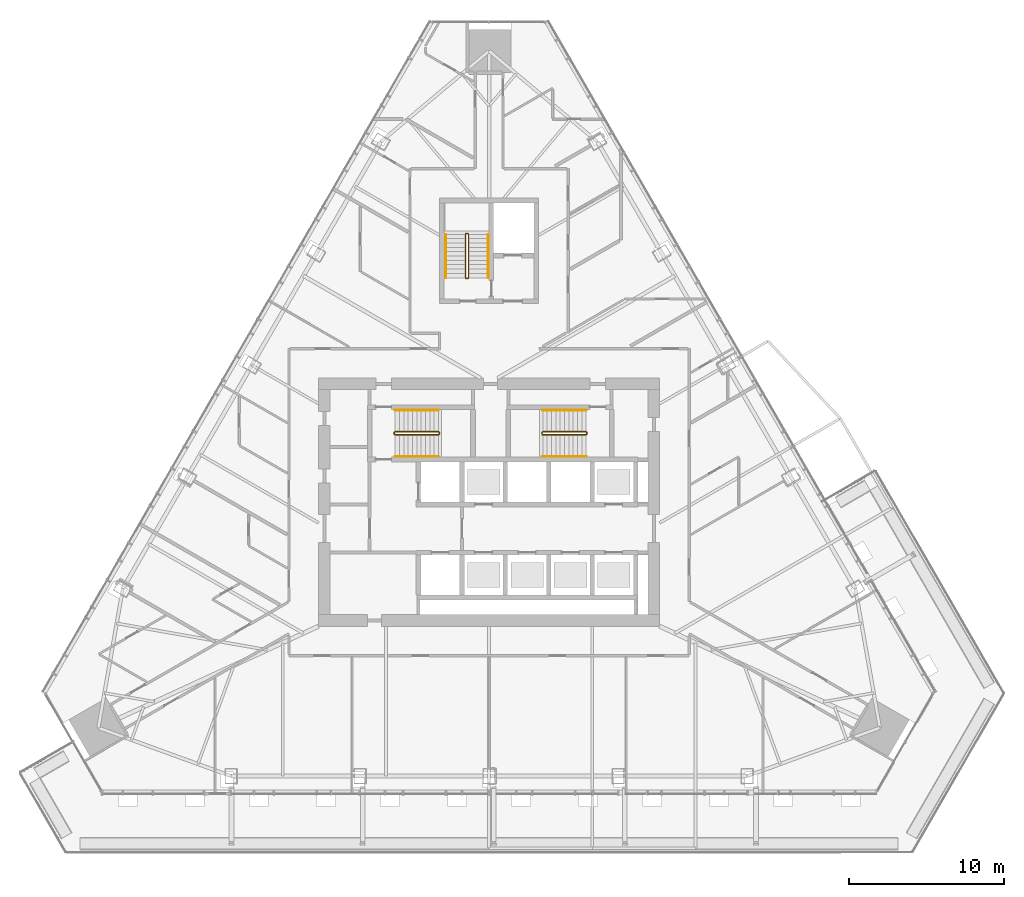
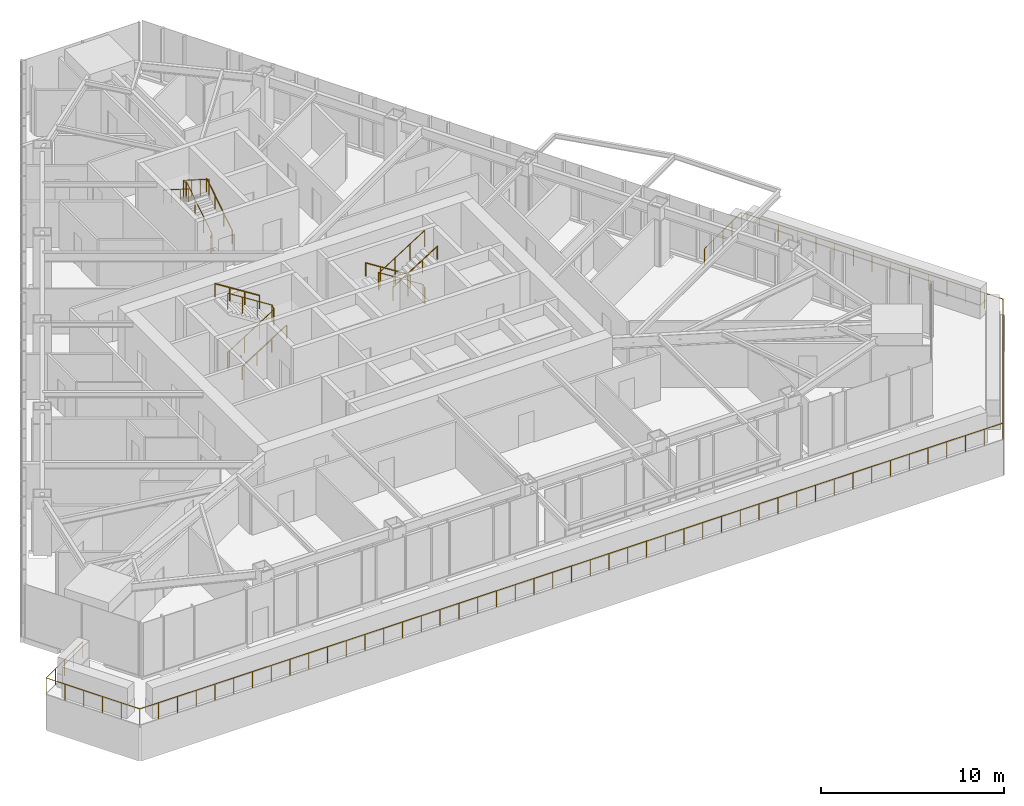
# One storey, part 19 of 21: 10 railings.
"""IFC4 building model written with IfcOpenShell, lengths in metres."""

from ifc_helpers import new_model, si_unit, direction, frame, origin, origin_2d, place, context, subcontext, project, spatial, circle, extrude, material, type_object, element, save


model = new_model("IFC4")

# Units and contexts
model_context = context("Model", 3, precision=1e-05, world=origin(), true_north=direction((0.0, 1.0)))
body_context = subcontext(model_context, "Body", "Model", "MODEL_VIEW")
ifc_project = project(units=[si_unit("LENGTHUNIT", "METRE"), si_unit("AREAUNIT", "SQUARE_METRE"), si_unit("VOLUMEUNIT", "CUBIC_METRE"), si_unit("PLANEANGLEUNIT", "RADIAN"), si_unit("MASSUNIT", "GRAM", prefix="KILO")], contexts=[model_context])

# Site, building, storey
site_placement = place(None, origin())
site = spatial("IfcSite", under=ifc_project, at=site_placement, CompositionType="ELEMENT")
building_placement = place(site_placement, origin())
building = spatial("IfcBuilding", under=site, at=building_placement, Name="Firuza Gate Tower and Library", CompositionType="ELEMENT")
storey_placement = place(building_placement, frame((0.0, 0.0, 222.10009765625)))
storey = spatial("IfcBuildingStorey", under=building, at=storey_placement, Name="L52", CompositionType="ELEMENT", Elevation=222.10009765625)

# Railings
ifc_material_1 = material(Name="Steel S355", Category="steel")
railing_type_1 = type_object("IfcRailingType", Name="Stair guard 1100", PredefinedType="GUARDRAIL", material=ifc_material_1)
railing_1_placement = place(storey_placement, frame((68.889892578125, 79.389892578125, 0.0)))
element("IfcRailing", 1, at=railing_1_placement, inside=storey, type_object=railing_type_1, Name="L52 ST1 stair guard 1", PredefinedType="GUARDRAIL", context=body_context, shape_type="SweptSolid", body=[
    extrude(circle(Radius=0.02392578125, at=origin_2d()), frame((0.0, 0.0, 1.076171875), z_axis=(0.0, 1.0, 0.0), x_axis=(-1.0, 0.0, 0.0)), (0.0, 0.0, 1.0), 0.10009765625),
    extrude(circle(Radius=0.02392578125, at=origin_2d()), frame((0.0, 0.10009765625, 1.076171875), z_axis=(0.210758951027, -0.631248760638, 0.74639511437), x_axis=(0.948528701346, 0.316691178788, 0.0)), (0.0, 0.0, 1.0), 0.237548828125),
    extrude(circle(Radius=0.02392578125, at=origin_2d()), frame((0.050048828125, -0.0498046875, 1.25341796875), z_axis=(0.844908973607, 0.0, 0.534910110503), x_axis=(0.0, 1.0, 0.0)), (0.0, 0.0, 1.0), 3.31396484375),
    extrude(circle(Radius=0.02392578125, at=origin_2d()), frame((2.85009765625, -0.0498046875, 3.02587890625), z_axis=(0.708833529934, 0.705375805398, 0.0), x_axis=(-0.705375805398, 0.708833529934, 0.0)), (0.0, 0.0, 1.0), 0.070556640625),
    extrude(circle(Radius=0.02392578125, at=origin_2d()), frame((2.900146484375, 0.0, 3.02587890625), z_axis=(0.0, 1.0, 0.0), x_axis=(-1.0, 0.0, 0.0)), (0.0, 0.0, 1.0), 0.10009765625),
    extrude(circle(Radius=0.02392578125, at=origin_2d()), frame((2.900146484375, 0.10009765625, 3.02587890625), z_axis=(-0.262233686654, 0.262233686654, 0.928691007369), x_axis=(-0.707106781187, -0.707106781187, 0.0)), (0.0, 0.0, 1.0), 0.19091796875),
    extrude(circle(Radius=0.02392578125, at=origin_2d()), frame((2.85009765625, 0.150146484375, 3.203125), z_axis=(-0.844908973607, 0.0, 0.534910110503), x_axis=(0.0, -1.0, 0.0)), (0.0, 0.0, 1.0), 3.31396484375),
    extrude(circle(Radius=0.02099609375, at=origin_2d()), origin(), (0.0, 0.0, 1.0), 1.052001953125),
    extrude(circle(Radius=0.02099609375, at=origin_2d()), frame((0.0, 0.10009765625, 0.0)), (0.0, 0.0, 1.0), 1.052001953125),
    extrude(circle(Radius=0.02099609375, at=origin_2d()), frame((0.050048828125, -0.0498046875, 0.17724609375)), (0.0, 0.0, 1.0), 1.052001953125),
    extrude(circle(Radius=0.02099609375, at=origin_2d()), frame((0.9833984375, -0.0498046875, 0.76806640625)), (0.0, 0.0, 1.0), 1.052001953125),
    extrude(circle(Radius=0.02099609375, at=origin_2d()), frame((1.916748046875, -0.0498046875, 1.359130859375)), (0.0, 0.0, 1.0), 1.052001953125),
    extrude(circle(Radius=0.02099609375, at=origin_2d()), frame((2.85009765625, -0.0498046875, 1.949951171875)), (0.0, 0.0, 1.0), 1.052001953125),
    extrude(circle(Radius=0.02099609375, at=origin_2d()), frame((2.900146484375, 0.0, 1.949951171875)), (0.0, 0.0, 1.0), 1.052001953125),
    extrude(circle(Radius=0.02099609375, at=origin_2d()), frame((2.900146484375, 0.10009765625, 1.949951171875)), (0.0, 0.0, 1.0), 1.052001953125),
    extrude(circle(Radius=0.02099609375, at=origin_2d()), frame((2.85009765625, 0.150146484375, 2.127197265625)), (0.0, 0.0, 1.0), 1.052001953125),
    extrude(circle(Radius=0.02099609375, at=origin_2d()), frame((1.916748046875, 0.150146484375, 2.718017578125)), (0.0, 0.0, 1.0), 1.052001953125),
    extrude(circle(Radius=0.02099609375, at=origin_2d()), frame((0.9833984375, 0.150146484375, 3.30908203125)), (0.0, 0.0, 1.0), 1.052001953125),
    extrude(circle(Radius=0.02099609375, at=origin_2d()), frame((0.050048828125, 0.150146484375, 3.89990234375)), (0.0, 0.0, 1.0), 1.052001953125),
])
railing_2_placement = place(storey_placement, frame((81.31005859375, 79.489990234375, 0.0)))
element("IfcRailing", 2, at=railing_2_placement, inside=storey, type_object=railing_type_1, Name="L52 ST2 stair guard 1", PredefinedType="GUARDRAIL", context=body_context, shape_type="SweptSolid", body=[
    extrude(circle(Radius=0.02392578125, at=origin_2d()), frame((0.0, 0.0, 1.076171875), z_axis=(0.0, -1.0, 0.0), x_axis=(1.0, 0.0, 0.0)), (0.0, 0.0, 1.0), 0.10009765625),
    extrude(circle(Radius=0.02392578125, at=origin_2d()), frame((0.0, -0.10009765625, 1.076171875), z_axis=(-0.210622194084, 0.631866582253, 0.74591079466), x_axis=(-0.948683298051, -0.316227766017, 0.0)), (0.0, 0.0, 1.0), 0.237548828125),
    extrude(circle(Radius=0.02392578125, at=origin_2d()), frame((-0.050048828125, 0.050048828125, 1.25341796875), z_axis=(-0.844908973607, 0.0, 0.534910110503), x_axis=(0.0, -1.0, 0.0)), (0.0, 0.0, 1.0), 3.31396484375),
    extrude(circle(Radius=0.02392578125, at=origin_2d()), frame((-2.85009765625, 0.050048828125, 3.02587890625), z_axis=(-0.707106781187, -0.707106781187, 0.0), x_axis=(0.707106781187, -0.707106781187, 0.0)), (0.0, 0.0, 1.0), 0.07080078125),
    extrude(circle(Radius=0.02392578125, at=origin_2d()), frame((-2.900146484375, 0.0, 3.02587890625), z_axis=(0.0, -1.0, 0.0), x_axis=(1.0, 0.0, 0.0)), (0.0, 0.0, 1.0), 0.10009765625),
    extrude(circle(Radius=0.02392578125, at=origin_2d()), frame((-2.900146484375, -0.10009765625, 3.02587890625), z_axis=(0.262321481514, -0.261041864531, 0.929001929653), x_axis=(0.705375805398, 0.708833529934, 0.0)), (0.0, 0.0, 1.0), 0.190673828125),
    extrude(circle(Radius=0.02392578125, at=origin_2d()), frame((-2.85009765625, -0.14990234375, 3.203125), z_axis=(0.844908973607, 0.0, 0.534910110503), x_axis=(0.0, 1.0, 0.0)), (0.0, 0.0, 1.0), 3.31396484375),
    extrude(circle(Radius=0.02099609375, at=origin_2d()), origin(), (0.0, 0.0, 1.0), 1.052001953125),
    extrude(circle(Radius=0.02099609375, at=origin_2d()), frame((0.0, -0.10009765625, 0.0)), (0.0, 0.0, 1.0), 1.052001953125),
    extrude(circle(Radius=0.02099609375, at=origin_2d()), frame((-0.050048828125, 0.050048828125, 0.17724609375)), (0.0, 0.0, 1.0), 1.052001953125),
    extrude(circle(Radius=0.02099609375, at=origin_2d()), frame((-0.9833984375, 0.050048828125, 0.76806640625)), (0.0, 0.0, 1.0), 1.052001953125),
    extrude(circle(Radius=0.02099609375, at=origin_2d()), frame((-1.916748046875, 0.050048828125, 1.359130859375)), (0.0, 0.0, 1.0), 1.052001953125),
    extrude(circle(Radius=0.02099609375, at=origin_2d()), frame((-2.85009765625, 0.050048828125, 1.949951171875)), (0.0, 0.0, 1.0), 1.052001953125),
    extrude(circle(Radius=0.02099609375, at=origin_2d()), frame((-2.900146484375, 0.0, 1.949951171875)), (0.0, 0.0, 1.0), 1.052001953125),
    extrude(circle(Radius=0.02099609375, at=origin_2d()), frame((-2.900146484375, -0.10009765625, 1.949951171875)), (0.0, 0.0, 1.0), 1.052001953125),
    extrude(circle(Radius=0.02099609375, at=origin_2d()), frame((-2.85009765625, -0.14990234375, 2.127197265625)), (0.0, 0.0, 1.0), 1.052001953125),
    extrude(circle(Radius=0.02099609375, at=origin_2d()), frame((-1.916748046875, -0.14990234375, 2.718017578125)), (0.0, 0.0, 1.0), 1.052001953125),
    extrude(circle(Radius=0.02099609375, at=origin_2d()), frame((-0.9833984375, -0.14990234375, 3.30908203125)), (0.0, 0.0, 1.0), 1.052001953125),
    extrude(circle(Radius=0.02099609375, at=origin_2d()), frame((-0.050048828125, -0.14990234375, 3.89990234375)), (0.0, 0.0, 1.0), 1.052001953125),
])
railing_3_placement = place(storey_placement, frame((73.6298828125, 89.419921875, 0.0)))
element("IfcRailing", 3, at=railing_3_placement, inside=storey, type_object=railing_type_1, Name="L52 ST3 stair guard 1", PredefinedType="GUARDRAIL", context=body_context, shape_type="SweptSolid", body=[
    extrude(circle(Radius=0.02392578125, at=origin_2d()), frame((0.0, 0.0, 1.076171875), z_axis=(-1.0, 0.0, 0.0), x_axis=(0.0, -1.0, 0.0)), (0.0, 0.0, 1.0), 0.099853515625),
    extrude(circle(Radius=0.02392578125, at=origin_2d()), frame((-0.099853515625, 0.0, 1.076171875), z_axis=(0.631248760638, 0.210758951027, 0.74639511437), x_axis=(-0.316691178788, 0.948528701346, 0.0)), (0.0, 0.0, 1.0), 0.237548828125),
    extrude(circle(Radius=0.02392578125, at=origin_2d()), frame((0.050048828125, 0.050048828125, 1.25341796875), z_axis=(0.0, 0.844908973607, 0.534910110503), x_axis=(-1.0, 0.0, 0.0)), (0.0, 0.0, 1.0), 3.31396484375),
    extrude(circle(Radius=0.02392578125, at=origin_2d()), frame((0.050048828125, 2.85009765625, 3.02587890625), z_axis=(-0.707106781187, 0.707106781187, 0.0), x_axis=(-0.707106781187, -0.707106781187, 0.0)), (0.0, 0.0, 1.0), 0.07080078125),
    extrude(circle(Radius=0.02392578125, at=origin_2d()), frame((0.0, 2.900146484375, 3.02587890625), z_axis=(-1.0, 0.0, 0.0), x_axis=(0.0, -1.0, 0.0)), (0.0, 0.0, 1.0), 0.099853515625),
    extrude(circle(Radius=0.02392578125, at=origin_2d()), frame((-0.099853515625, 2.900146484375, 3.02587890625), z_axis=(-0.262233686654, -0.262233686654, 0.928691007369), x_axis=(0.707106781187, -0.707106781187, 0.0)), (0.0, 0.0, 1.0), 0.19091796875),
    extrude(circle(Radius=0.02392578125, at=origin_2d()), frame((-0.14990234375, 2.85009765625, 3.203125), z_axis=(0.0, -0.844908973607, 0.534910110503), x_axis=(1.0, 0.0, 0.0)), (0.0, 0.0, 1.0), 3.31396484375),
    extrude(circle(Radius=0.02099609375, at=origin_2d()), origin(), (0.0, 0.0, 1.0), 1.052001953125),
    extrude(circle(Radius=0.02099609375, at=origin_2d()), frame((-0.099853515625, 0.0, 0.0)), (0.0, 0.0, 1.0), 1.052001953125),
    extrude(circle(Radius=0.02099609375, at=origin_2d()), frame((0.050048828125, 0.050048828125, 0.17724609375)), (0.0, 0.0, 1.0), 1.052001953125),
    extrude(circle(Radius=0.02099609375, at=origin_2d()), frame((0.050048828125, 0.9833984375, 0.76806640625)), (0.0, 0.0, 1.0), 1.052001953125),
    extrude(circle(Radius=0.02099609375, at=origin_2d()), frame((0.050048828125, 1.916748046875, 1.359130859375)), (0.0, 0.0, 1.0), 1.052001953125),
    extrude(circle(Radius=0.02099609375, at=origin_2d()), frame((0.050048828125, 2.85009765625, 1.949951171875)), (0.0, 0.0, 1.0), 1.052001953125),
    extrude(circle(Radius=0.02099609375, at=origin_2d()), frame((0.0, 2.900146484375, 1.949951171875)), (0.0, 0.0, 1.0), 1.052001953125),
    extrude(circle(Radius=0.02099609375, at=origin_2d()), frame((-0.099853515625, 2.900146484375, 1.949951171875)), (0.0, 0.0, 1.0), 1.052001953125),
    extrude(circle(Radius=0.02099609375, at=origin_2d()), frame((-0.14990234375, 2.85009765625, 2.127197265625)), (0.0, 0.0, 1.0), 1.052001953125),
    extrude(circle(Radius=0.02099609375, at=origin_2d()), frame((-0.14990234375, 1.916748046875, 2.718017578125)), (0.0, 0.0, 1.0), 1.052001953125),
    extrude(circle(Radius=0.02099609375, at=origin_2d()), frame((-0.14990234375, 0.9833984375, 3.30908203125)), (0.0, 0.0, 1.0), 1.052001953125),
    extrude(circle(Radius=0.02099609375, at=origin_2d()), frame((-0.14990234375, 0.050048828125, 3.89990234375)), (0.0, 0.0, 1.0), 1.052001953125),
])
ifc_material_2 = material(Name="Steel S355", Category="steel")
railing_type_2 = type_object("IfcRailingType", Name="Stair handrail 900", PredefinedType="HANDRAIL", material=ifc_material_2)
railing_4_placement = place(storey_placement, frame((68.93994140625, 77.949951171875, 0.17724609375)))
element("IfcRailing", 4, at=railing_4_placement, inside=storey, type_object=railing_type_2, Name="L52 ST1 stair handrail 1", PredefinedType="HANDRAIL", context=body_context, shape_type="SweptSolid", body=[
    extrude(circle(Radius=0.02392578125, at=origin_2d()), frame((0.0, 0.0, 0.8759765625), z_axis=(0.844908973607, 0.0, 0.534910110503), x_axis=(0.0, 1.0, 0.0)), (0.0, 0.0, 1.0), 3.31396484375),
    extrude(circle(Radius=0.02099609375, at=origin_2d()), origin(), (0.0, 0.0, 1.0), 0.851806640625),
    extrude(circle(Radius=0.02099609375, at=origin_2d()), frame((0.933349609375, 0.0, 0.5908203125)), (0.0, 0.0, 1.0), 0.851806640625),
    extrude(circle(Radius=0.02099609375, at=origin_2d()), frame((1.86669921875, 0.0, 1.181884765625)), (0.0, 0.0, 1.0), 0.851806640625),
    extrude(circle(Radius=0.02099609375, at=origin_2d()), frame((2.800048828125, 0.0, 1.772705078125)), (0.0, 0.0, 1.0), 0.851806640625),
])
for number, where, name in (
    (5, (71.739990234375, 80.929931640625, 2.127197265625), "L52 ST1 stair handrail 2"),
    (6, (81.260009765625, 80.929931640625, 0.17724609375), "L52 ST2 stair handrail 1"),
):
    element("IfcRailing", number, at=place(storey_placement, frame(where)), inside=storey, type_object=railing_type_2, Name=name, PredefinedType="HANDRAIL", context=body_context, shape_type="SweptSolid", body=[
        extrude(circle(Radius=0.02392578125, at=origin_2d()), frame((0.0, 0.0, 0.8759765625), z_axis=(-0.844908973607, 0.0, 0.534910110503), x_axis=(0.0, -1.0, 0.0)), (0.0, 0.0, 1.0), 3.31396484375),
        extrude(circle(Radius=0.02099609375, at=origin_2d()), origin(), (0.0, 0.0, 1.0), 0.851806640625),
        extrude(circle(Radius=0.02099609375, at=origin_2d()), frame((-0.933349609375, 0.0, 0.5908203125)), (0.0, 0.0, 1.0), 0.851806640625),
        extrude(circle(Radius=0.02099609375, at=origin_2d()), frame((-1.86669921875, 0.0, 1.181884765625)), (0.0, 0.0, 1.0), 0.851806640625),
        extrude(circle(Radius=0.02099609375, at=origin_2d()), frame((-2.800048828125, 0.0, 1.772705078125)), (0.0, 0.0, 1.0), 0.851806640625),
    ])
railing_5_placement = place(storey_placement, frame((78.4599609375, 77.949951171875, 2.127197265625)))
element("IfcRailing", 7, at=railing_5_placement, inside=storey, type_object=railing_type_2, Name="L52 ST2 stair handrail 2", PredefinedType="HANDRAIL", context=body_context, shape_type="SweptSolid", body=[
    extrude(circle(Radius=0.02392578125, at=origin_2d()), frame((0.0, 0.0, 0.8759765625), z_axis=(0.844908973607, 0.0, 0.534910110503), x_axis=(0.0, 1.0, 0.0)), (0.0, 0.0, 1.0), 3.31396484375),
    extrude(circle(Radius=0.02099609375, at=origin_2d()), origin(), (0.0, 0.0, 1.0), 0.851806640625),
    extrude(circle(Radius=0.02099609375, at=origin_2d()), frame((0.933349609375, 0.0, 0.5908203125)), (0.0, 0.0, 1.0), 0.851806640625),
    extrude(circle(Radius=0.02099609375, at=origin_2d()), frame((1.86669921875, 0.0, 1.181884765625)), (0.0, 0.0, 1.0), 0.851806640625),
    extrude(circle(Radius=0.02099609375, at=origin_2d()), frame((2.800048828125, 0.0, 1.772705078125)), (0.0, 0.0, 1.0), 0.851806640625),
])
railing_6_placement = place(storey_placement, frame((74.949951171875, 89.469970703125, 0.17724609375)))
element("IfcRailing", 8, at=railing_6_placement, inside=storey, type_object=railing_type_2, Name="L52 ST3 stair handrail 1", PredefinedType="HANDRAIL", context=body_context, shape_type="SweptSolid", body=[
    extrude(circle(Radius=0.02392578125, at=origin_2d()), frame((0.0, 0.0, 0.8759765625), z_axis=(0.0, 0.844908973607, 0.534910110503), x_axis=(-1.0, 0.0, 0.0)), (0.0, 0.0, 1.0), 3.31396484375),
    extrude(circle(Radius=0.02099609375, at=origin_2d()), origin(), (0.0, 0.0, 1.0), 0.851806640625),
    extrude(circle(Radius=0.02099609375, at=origin_2d()), frame((0.0, 0.933349609375, 0.5908203125)), (0.0, 0.0, 1.0), 0.851806640625),
    extrude(circle(Radius=0.02099609375, at=origin_2d()), frame((0.0, 1.86669921875, 1.181884765625)), (0.0, 0.0, 1.0), 0.851806640625),
    extrude(circle(Radius=0.02099609375, at=origin_2d()), frame((0.0, 2.800048828125, 1.772705078125)), (0.0, 0.0, 1.0), 0.851806640625),
])
railing_7_placement = place(storey_placement, frame((72.2099609375, 92.27001953125, 2.127197265625)))
element("IfcRailing", 9, at=railing_7_placement, inside=storey, type_object=railing_type_2, Name="L52 ST3 stair handrail 2", PredefinedType="HANDRAIL", context=body_context, shape_type="SweptSolid", body=[
    extrude(circle(Radius=0.02392578125, at=origin_2d()), frame((0.0, 0.0, 0.8759765625), z_axis=(0.0, -0.844908973607, 0.534910110503), x_axis=(1.0, 0.0, 0.0)), (0.0, 0.0, 1.0), 3.31396484375),
    extrude(circle(Radius=0.02099609375, at=origin_2d()), origin(), (0.0, 0.0, 1.0), 0.851806640625),
    extrude(circle(Radius=0.02099609375, at=origin_2d()), frame((0.0, -0.933349609375, 0.5908203125)), (0.0, 0.0, 1.0), 0.851806640625),
    extrude(circle(Radius=0.02099609375, at=origin_2d()), frame((0.0, -1.86669921875, 1.181884765625)), (0.0, 0.0, 1.0), 0.851806640625),
    extrude(circle(Radius=0.02099609375, at=origin_2d()), frame((0.0, -2.800048828125, 1.772705078125)), (0.0, 0.0, 1.0), 0.851806640625),
])
ifc_material_3 = material(Name="Steel S355", Category="steel")
railing_type_3 = type_object("IfcRailingType", Name="Terrace guard 1100", PredefinedType="GUARDRAIL", material=ifc_material_3)
railing_8_placement = place(storey_placement, frame((48.247314453125, 59.55419921875, 0.0)))
element("IfcRailing", 10, at=railing_8_placement, inside=storey, type_object=railing_type_3, Name="Tray guard L52", PredefinedType="GUARDRAIL", context=body_context, shape_type="SweptSolid", body=[
    extrude(circle(Radius=0.02392578125, at=origin_2d()), frame((0.0, 0.0, 1.076171875), z_axis=(-0.866026010844, -0.49999894854, 0.0), x_axis=(0.49999894854, -0.866026010844, 0.0)), (0.0, 0.0, 1.0), 4.0),
    extrude(circle(Radius=0.02392578125, at=origin_2d()), frame((-3.464111328125, -2.0, 1.076171875), z_axis=(0.499987099225, -0.866032851922, 0.0), x_axis=(0.866032851922, 0.499987099225, 0.0)), (0.0, 0.0, 1.0), 5.909423828125),
    extrude(circle(Radius=0.02392578125, at=origin_2d()), frame((-0.509521484375, -7.11767578125, 1.076171875), z_axis=(1.0, 0.0, 0.0), x_axis=(0.0, 1.0, 0.0)), (0.0, 0.0, 1.0), 54.5244140625),
    extrude(circle(Radius=0.02392578125, at=origin_2d()), frame((54.014892578125, -7.11767578125, 1.076171875), z_axis=(0.500002592159, 0.866023907196, 0.0), x_axis=(-0.866023907196, 0.500002592159, 0.0)), (0.0, 0.0, 1.0), 11.81884765625),
    extrude(circle(Radius=0.02392578125, at=origin_2d()), frame((59.92431640625, 3.11767578125, 1.076171875), z_axis=(-0.50000517286, 0.866022417212, 0.0), x_axis=(-0.866022417212, -0.50000517286, 0.0)), (0.0, 0.0, 1.0), 16.544677734375),
    extrude(circle(Radius=0.02392578125, at=origin_2d()), frame((51.65185546875, 17.44580078125, 1.076171875), z_axis=(-0.866010750942, -0.50002537861, 0.0), x_axis=(0.50002537861, -0.866010750942, 0.0)), (0.0, 0.0, 1.0), 3.999755859375),
    extrude(circle(Radius=0.02099609375, at=origin_2d()), origin(), (0.0, 0.0, 1.0), 1.052001953125),
    extrude(circle(Radius=0.02099609375, at=origin_2d()), frame((-0.865966796875, -0.5, 0.0)), (0.0, 0.0, 1.0), 1.052001953125),
    extrude(circle(Radius=0.02099609375, at=origin_2d()), frame((-1.73193359375, -1.0, 0.0)), (0.0, 0.0, 1.0), 1.052001953125),
    extrude(circle(Radius=0.02099609375, at=origin_2d()), frame((-2.59814453125, -1.5, 0.0)), (0.0, 0.0, 1.0), 1.052001953125),
    extrude(circle(Radius=0.02099609375, at=origin_2d()), frame((-3.464111328125, -2.0, 0.0)), (0.0, 0.0, 1.0), 1.052001953125),
    extrude(circle(Radius=0.02099609375, at=origin_2d()), frame((-2.873291015625, -3.0234375, 0.0)), (0.0, 0.0, 1.0), 1.052001953125),
    extrude(circle(Radius=0.02099609375, at=origin_2d()), frame((-2.2822265625, -4.047119140625, 0.0)), (0.0, 0.0, 1.0), 1.052001953125),
    extrude(circle(Radius=0.02099609375, at=origin_2d()), frame((-1.69140625, -5.070556640625, 0.0)), (0.0, 0.0, 1.0), 1.052001953125),
    extrude(circle(Radius=0.02099609375, at=origin_2d()), frame((-1.100341796875, -6.09423828125, 0.0)), (0.0, 0.0, 1.0), 1.052001953125),
    extrude(circle(Radius=0.02099609375, at=origin_2d()), frame((-0.509521484375, -7.11767578125, 0.0)), (0.0, 0.0, 1.0), 1.052001953125),
    extrude(circle(Radius=0.02099609375, at=origin_2d()), frame((0.67578125, -7.11767578125, 0.0)), (0.0, 0.0, 1.0), 1.052001953125),
    extrude(circle(Radius=0.02099609375, at=origin_2d()), frame((1.861083984375, -7.11767578125, 0.0)), (0.0, 0.0, 1.0), 1.052001953125),
    extrude(circle(Radius=0.02099609375, at=origin_2d()), frame((3.04638671875, -7.11767578125, 0.0)), (0.0, 0.0, 1.0), 1.052001953125),
    extrude(circle(Radius=0.02099609375, at=origin_2d()), frame((4.231689453125, -7.11767578125, 0.0)), (0.0, 0.0, 1.0), 1.052001953125),
    extrude(circle(Radius=0.02099609375, at=origin_2d()), frame((5.4169921875, -7.11767578125, 0.0)), (0.0, 0.0, 1.0), 1.052001953125),
    extrude(circle(Radius=0.02099609375, at=origin_2d()), frame((6.602294921875, -7.11767578125, 0.0)), (0.0, 0.0, 1.0), 1.052001953125),
    extrude(circle(Radius=0.02099609375, at=origin_2d()), frame((7.78759765625, -7.11767578125, 0.0)), (0.0, 0.0, 1.0), 1.052001953125),
    extrude(circle(Radius=0.02099609375, at=origin_2d()), frame((8.972900390625, -7.11767578125, 0.0)), (0.0, 0.0, 1.0), 1.052001953125),
    extrude(circle(Radius=0.02099609375, at=origin_2d()), frame((10.158203125, -7.11767578125, 0.0)), (0.0, 0.0, 1.0), 1.052001953125),
    extrude(circle(Radius=0.02099609375, at=origin_2d()), frame((11.343505859375, -7.11767578125, 0.0)), (0.0, 0.0, 1.0), 1.052001953125),
    extrude(circle(Radius=0.02099609375, at=origin_2d()), frame((12.52880859375, -7.11767578125, 0.0)), (0.0, 0.0, 1.0), 1.052001953125),
    extrude(circle(Radius=0.02099609375, at=origin_2d()), frame((13.71435546875, -7.11767578125, 0.0)), (0.0, 0.0, 1.0), 1.052001953125),
    extrude(circle(Radius=0.02099609375, at=origin_2d()), frame((14.899658203125, -7.11767578125, 0.0)), (0.0, 0.0, 1.0), 1.052001953125),
    extrude(circle(Radius=0.02099609375, at=origin_2d()), frame((16.0849609375, -7.11767578125, 0.0)), (0.0, 0.0, 1.0), 1.052001953125),
    extrude(circle(Radius=0.02099609375, at=origin_2d()), frame((17.270263671875, -7.11767578125, 0.0)), (0.0, 0.0, 1.0), 1.052001953125),
    extrude(circle(Radius=0.02099609375, at=origin_2d()), frame((18.45556640625, -7.11767578125, 0.0)), (0.0, 0.0, 1.0), 1.052001953125),
    extrude(circle(Radius=0.02099609375, at=origin_2d()), frame((19.640869140625, -7.11767578125, 0.0)), (0.0, 0.0, 1.0), 1.052001953125),
    extrude(circle(Radius=0.02099609375, at=origin_2d()), frame((20.826171875, -7.11767578125, 0.0)), (0.0, 0.0, 1.0), 1.052001953125),
    extrude(circle(Radius=0.02099609375, at=origin_2d()), frame((22.011474609375, -7.11767578125, 0.0)), (0.0, 0.0, 1.0), 1.052001953125),
    extrude(circle(Radius=0.02099609375, at=origin_2d()), frame((23.19677734375, -7.11767578125, 0.0)), (0.0, 0.0, 1.0), 1.052001953125),
    extrude(circle(Radius=0.02099609375, at=origin_2d()), frame((24.382080078125, -7.11767578125, 0.0)), (0.0, 0.0, 1.0), 1.052001953125),
    extrude(circle(Radius=0.02099609375, at=origin_2d()), frame((25.5673828125, -7.11767578125, 0.0)), (0.0, 0.0, 1.0), 1.052001953125),
    extrude(circle(Radius=0.02099609375, at=origin_2d()), frame((26.752685546875, -7.11767578125, 0.0)), (0.0, 0.0, 1.0), 1.052001953125),
    extrude(circle(Radius=0.02099609375, at=origin_2d()), frame((27.93798828125, -7.11767578125, 0.0)), (0.0, 0.0, 1.0), 1.052001953125),
    extrude(circle(Radius=0.02099609375, at=origin_2d()), frame((29.123291015625, -7.11767578125, 0.0)), (0.0, 0.0, 1.0), 1.052001953125),
    extrude(circle(Radius=0.02099609375, at=origin_2d()), frame((30.30859375, -7.11767578125, 0.0)), (0.0, 0.0, 1.0), 1.052001953125),
    extrude(circle(Radius=0.02099609375, at=origin_2d()), frame((31.493896484375, -7.11767578125, 0.0)), (0.0, 0.0, 1.0), 1.052001953125),
    extrude(circle(Radius=0.02099609375, at=origin_2d()), frame((32.67919921875, -7.11767578125, 0.0)), (0.0, 0.0, 1.0), 1.052001953125),
    extrude(circle(Radius=0.02099609375, at=origin_2d()), frame((33.864501953125, -7.11767578125, 0.0)), (0.0, 0.0, 1.0), 1.052001953125),
    extrude(circle(Radius=0.02099609375, at=origin_2d()), frame((35.0498046875, -7.11767578125, 0.0)), (0.0, 0.0, 1.0), 1.052001953125),
    extrude(circle(Radius=0.02099609375, at=origin_2d()), frame((36.235107421875, -7.11767578125, 0.0)), (0.0, 0.0, 1.0), 1.052001953125),
    extrude(circle(Radius=0.02099609375, at=origin_2d()), frame((37.42041015625, -7.11767578125, 0.0)), (0.0, 0.0, 1.0), 1.052001953125),
    extrude(circle(Radius=0.02099609375, at=origin_2d()), frame((38.605712890625, -7.11767578125, 0.0)), (0.0, 0.0, 1.0), 1.052001953125),
    extrude(circle(Radius=0.02099609375, at=origin_2d()), frame((39.791015625, -7.11767578125, 0.0)), (0.0, 0.0, 1.0), 1.052001953125),
    extrude(circle(Radius=0.02099609375, at=origin_2d()), frame((40.9765625, -7.11767578125, 0.0)), (0.0, 0.0, 1.0), 1.052001953125),
    extrude(circle(Radius=0.02099609375, at=origin_2d()), frame((42.161865234375, -7.11767578125, 0.0)), (0.0, 0.0, 1.0), 1.052001953125),
    extrude(circle(Radius=0.02099609375, at=origin_2d()), frame((43.34716796875, -7.11767578125, 0.0)), (0.0, 0.0, 1.0), 1.052001953125),
    extrude(circle(Radius=0.02099609375, at=origin_2d()), frame((44.532470703125, -7.11767578125, 0.0)), (0.0, 0.0, 1.0), 1.052001953125),
    extrude(circle(Radius=0.02099609375, at=origin_2d()), frame((45.7177734375, -7.11767578125, 0.0)), (0.0, 0.0, 1.0), 1.052001953125),
    extrude(circle(Radius=0.02099609375, at=origin_2d()), frame((46.903076171875, -7.11767578125, 0.0)), (0.0, 0.0, 1.0), 1.052001953125),
    extrude(circle(Radius=0.02099609375, at=origin_2d()), frame((48.08837890625, -7.11767578125, 0.0)), (0.0, 0.0, 1.0), 1.052001953125),
    extrude(circle(Radius=0.02099609375, at=origin_2d()), frame((49.273681640625, -7.11767578125, 0.0)), (0.0, 0.0, 1.0), 1.052001953125),
    extrude(circle(Radius=0.02099609375, at=origin_2d()), frame((50.458984375, -7.11767578125, 0.0)), (0.0, 0.0, 1.0), 1.052001953125),
    extrude(circle(Radius=0.02099609375, at=origin_2d()), frame((51.644287109375, -7.11767578125, 0.0)), (0.0, 0.0, 1.0), 1.052001953125),
    extrude(circle(Radius=0.02099609375, at=origin_2d()), frame((52.82958984375, -7.11767578125, 0.0)), (0.0, 0.0, 1.0), 1.052001953125),
    extrude(circle(Radius=0.02099609375, at=origin_2d()), frame((54.014892578125, -7.11767578125, 0.0)), (0.0, 0.0, 1.0), 1.052001953125),
    extrude(circle(Radius=0.02099609375, at=origin_2d()), frame((54.60595703125, -6.09423828125, 0.0)), (0.0, 0.0, 1.0), 1.052001953125),
    extrude(circle(Radius=0.02099609375, at=origin_2d()), frame((55.19677734375, -5.070556640625, 0.0)), (0.0, 0.0, 1.0), 1.052001953125),
    extrude(circle(Radius=0.02099609375, at=origin_2d()), frame((55.78759765625, -4.047119140625, 0.0)), (0.0, 0.0, 1.0), 1.052001953125),
    extrude(circle(Radius=0.02099609375, at=origin_2d()), frame((56.378662109375, -3.0234375, 0.0)), (0.0, 0.0, 1.0), 1.052001953125),
    extrude(circle(Radius=0.02099609375, at=origin_2d()), frame((56.9697265625, -2.0, 0.0)), (0.0, 0.0, 1.0), 1.052001953125),
    extrude(circle(Radius=0.02099609375, at=origin_2d()), frame((57.560546875, -0.9765625, 0.0)), (0.0, 0.0, 1.0), 1.052001953125),
    extrude(circle(Radius=0.02099609375, at=origin_2d()), frame((58.1513671875, 0.047119140625, 0.0)), (0.0, 0.0, 1.0), 1.052001953125),
    extrude(circle(Radius=0.02099609375, at=origin_2d()), frame((58.742431640625, 1.070556640625, 0.0)), (0.0, 0.0, 1.0), 1.052001953125),
    extrude(circle(Radius=0.02099609375, at=origin_2d()), frame((59.33349609375, 2.09423828125, 0.0)), (0.0, 0.0, 1.0), 1.052001953125),
    extrude(circle(Radius=0.02099609375, at=origin_2d()), frame((59.92431640625, 3.11767578125, 0.0)), (0.0, 0.0, 1.0), 1.052001953125),
    extrude(circle(Radius=0.02099609375, at=origin_2d()), frame((59.33349609375, 4.14111328125, 0.0)), (0.0, 0.0, 1.0), 1.052001953125),
    extrude(circle(Radius=0.02099609375, at=origin_2d()), frame((58.742431640625, 5.16455078125, 0.0)), (0.0, 0.0, 1.0), 1.052001953125),
    extrude(circle(Radius=0.02099609375, at=origin_2d()), frame((58.151611328125, 6.18798828125, 0.0)), (0.0, 0.0, 1.0), 1.052001953125),
    extrude(circle(Radius=0.02099609375, at=origin_2d()), frame((57.560791015625, 7.21142578125, 0.0)), (0.0, 0.0, 1.0), 1.052001953125),
    extrude(circle(Radius=0.02099609375, at=origin_2d()), frame((56.969970703125, 8.23486328125, 0.0)), (0.0, 0.0, 1.0), 1.052001953125),
    extrude(circle(Radius=0.02099609375, at=origin_2d()), frame((56.37890625, 9.25830078125, 0.0)), (0.0, 0.0, 1.0), 1.052001953125),
    extrude(circle(Radius=0.02099609375, at=origin_2d()), frame((55.7880859375, 10.28173828125, 0.0)), (0.0, 0.0, 1.0), 1.052001953125),
    extrude(circle(Radius=0.02099609375, at=origin_2d()), frame((55.197265625, 11.30517578125, 0.0)), (0.0, 0.0, 1.0), 1.052001953125),
    extrude(circle(Radius=0.02099609375, at=origin_2d()), frame((54.606201171875, 12.32861328125, 0.0)), (0.0, 0.0, 1.0), 1.052001953125),
    extrude(circle(Radius=0.02099609375, at=origin_2d()), frame((54.015380859375, 13.35205078125, 0.0)), (0.0, 0.0, 1.0), 1.052001953125),
    extrude(circle(Radius=0.02099609375, at=origin_2d()), frame((53.424560546875, 14.37548828125, 0.0)), (0.0, 0.0, 1.0), 1.052001953125),
    extrude(circle(Radius=0.02099609375, at=origin_2d()), frame((52.833740234375, 15.39892578125, 0.0)), (0.0, 0.0, 1.0), 1.052001953125),
    extrude(circle(Radius=0.02099609375, at=origin_2d()), frame((52.24267578125, 16.42236328125, 0.0)), (0.0, 0.0, 1.0), 1.052001953125),
    extrude(circle(Radius=0.02099609375, at=origin_2d()), frame((51.65185546875, 17.44580078125, 0.0)), (0.0, 0.0, 1.0), 1.052001953125),
    extrude(circle(Radius=0.02099609375, at=origin_2d()), frame((50.785888671875, 16.94580078125, 0.0)), (0.0, 0.0, 1.0), 1.052001953125),
    extrude(circle(Radius=0.02099609375, at=origin_2d()), frame((49.919921875, 16.44580078125, 0.0)), (0.0, 0.0, 1.0), 1.052001953125),
    extrude(circle(Radius=0.02099609375, at=origin_2d()), frame((49.053955078125, 15.94580078125, 0.0)), (0.0, 0.0, 1.0), 1.052001953125),
    extrude(circle(Radius=0.02099609375, at=origin_2d()), frame((48.18798828125, 15.44580078125, 0.0)), (0.0, 0.0, 1.0), 1.052001953125),
])

save(model, "model.ifc")
